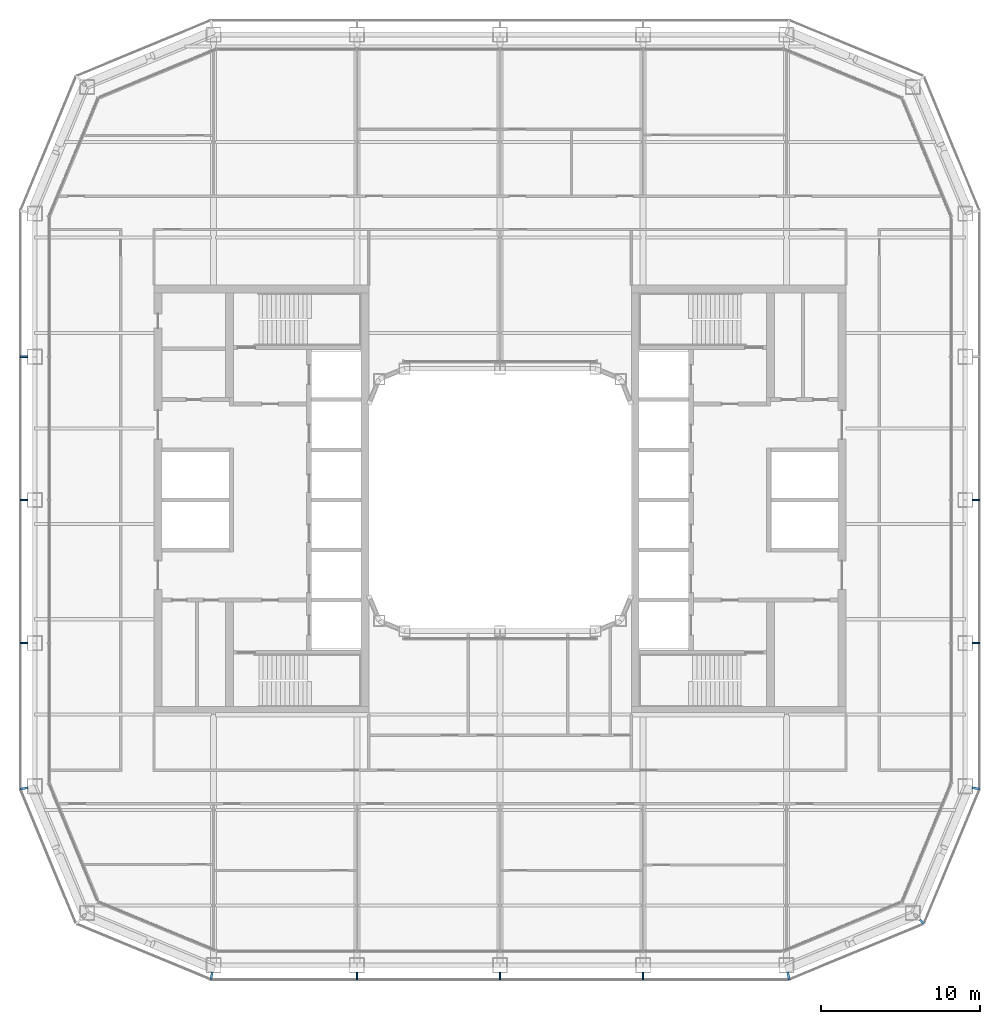
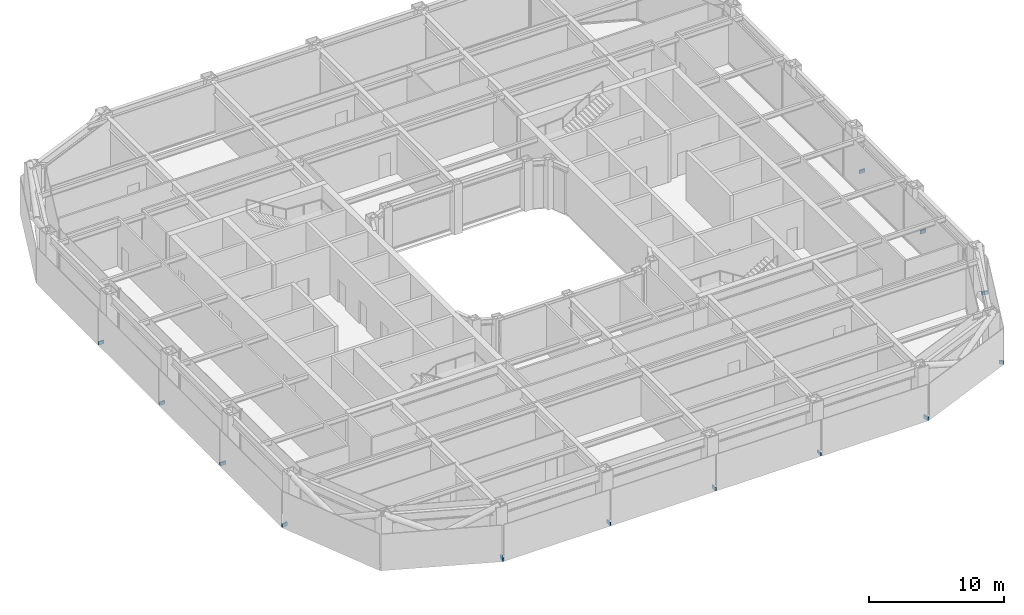
# One storey, part 15 of 21: 13 discrete accessories.
"""IFC4 building model written with IfcOpenShell, lengths in metres."""

from ifc_helpers import new_model, si_unit, direction, frame, origin, origin_2d, place, context, subcontext, project, spatial, rectangle, extrude, material, type_object, element, save


model = new_model("IFC4")

# Units and contexts
model_context = context("Model", 3, precision=1e-05, world=origin(), true_north=direction((0.0, 1.0)))
body_context = subcontext(model_context, "Body", "Model", "MODEL_VIEW")
ifc_project = project(units=[si_unit("LENGTHUNIT", "METRE"), si_unit("AREAUNIT", "SQUARE_METRE"), si_unit("VOLUMEUNIT", "CUBIC_METRE"), si_unit("PLANEANGLEUNIT", "RADIAN"), si_unit("MASSUNIT", "GRAM", prefix="KILO")], contexts=[model_context])

# Site, building, storey
site_placement = place(None, origin())
site = spatial("IfcSite", under=ifc_project, at=site_placement, CompositionType="ELEMENT")
building_placement = place(site_placement, origin())
building = spatial("IfcBuilding", under=site, at=building_placement, Name="Siwar Civic Tower", CompositionType="ELEMENT")
storey_placement = place(building_placement, frame((0.0, 0.0, 104.699951171875)))
storey = spatial("IfcBuildingStorey", under=building, at=storey_placement, Name="L22", CompositionType="ELEMENT", Elevation=104.699951171875)

# Discrete accessories
ifc_material = material(Name="Stainless steel 316", Category="steel")
discrete_accessory_type = type_object("IfcDiscreteAccessoryType", Name="ENV-BRACKET", PredefinedType="BRACKET", material=ifc_material)
for number, where, z_axis, x_axis, name in (
    (1, (29.9150390625, -9.0, -0.14990234375), (0.0, 0.0, 1.0), (1.0, 0.0, 0.0), "Bracket outer skin joint E-01"),
    (2, (29.9150390625, 0.0, -0.14990234375), (0.0, 0.0, 1.0), (1.0, 0.0, 0.0), "Bracket outer skin joint E-02"),
    (3, (-9.0, -29.9150390625, -0.14990234375), (0.0, 0.0, 1.0), (0.0, -1.0, 0.0), "Bracket outer skin joint S-01"),
    (4, (0.0, -29.9150390625, -0.14990234375), (0.0, 0.0, 1.0), (0.0, -1.0, 0.0), "Bracket outer skin joint S-02"),
    (5, (9.0, -29.9150390625, -0.14990234375), (0.0, 0.0, 1.0), (0.0, -1.0, 0.0), "Bracket outer skin joint S-03"),
):
    element("IfcDiscreteAccessory", number, at=place(storey_placement, frame(where, z_axis=z_axis, x_axis=x_axis)), inside=storey, type_object=discrete_accessory_type, Name=name, PredefinedType="BRACKET", context=body_context, shape_type="SweptSolid", body=[
        extrude(rectangle(XDim=0.469970703125, YDim=0.10009765625, at=origin_2d()), origin(), (0.0, 0.0, 1.0), 0.300048828125),
    ])
for number, where, z_axis, x_axis, name in (
    (6, (-18.13232421875, -29.915283203125, -0.14990234375), (0.0, 0.0, 1.0), (-0.195090322016, -0.980785280403, 0.0), "Bracket outer skin joint V00"),
    (7, (18.13232421875, -29.915283203125, -0.14990234375), (0.0, 0.0, 1.0), (0.195090322016, -0.980785280403, 0.0), "Bracket outer skin joint V01"),
):
    element("IfcDiscreteAccessory", number, at=place(storey_placement, frame(where, z_axis=z_axis, x_axis=x_axis)), inside=storey, type_object=discrete_accessory_type, Name=name, PredefinedType="BRACKET", context=body_context, shape_type="SweptSolid", body=[
        extrude(rectangle(XDim=0.478759765625, YDim=0.13720703125, at=origin_2d()), origin(), (0.0, 0.0, 1.0), 0.300048828125),
    ])
discrete_accessory_placement = place(storey_placement, frame((26.517333984375, -26.517333984375, -0.14990234375), z_axis=(0.0, 0.0, 1.0), x_axis=(0.707106781187, -0.707106781187, 0.0)))
element("IfcDiscreteAccessory", 8, at=discrete_accessory_placement, inside=storey, type_object=discrete_accessory_type, Name="Bracket outer skin joint V02", PredefinedType="BRACKET", context=body_context, shape_type="SweptSolid", body=[
    extrude(rectangle(XDim=0.357666015625, YDim=0.12939453125, at=origin_2d()), origin(), (0.0, 0.0, 1.0), 0.300048828125),
])
for number, where, z_axis, x_axis, name in (
    (9, (29.915283203125, -18.13232421875, -0.14990234375), (0.0, 0.0, 1.0), (0.980785280403, -0.195090322016, 0.0), "Bracket outer skin joint V03"),
    (10, (-29.915283203125, -18.13232421875, -0.14990234375), (0.0, 0.0, 1.0), (-0.980785280403, -0.195090322016, 0.0), "Bracket outer skin joint V10"),
):
    element("IfcDiscreteAccessory", number, at=place(storey_placement, frame(where, z_axis=z_axis, x_axis=x_axis)), inside=storey, type_object=discrete_accessory_type, Name=name, PredefinedType="BRACKET", context=body_context, shape_type="SweptSolid", body=[
        extrude(rectangle(XDim=0.478759765625, YDim=0.13720703125, at=origin_2d()), origin(), (0.0, 0.0, 1.0), 0.300048828125),
    ])
for number, where, z_axis, x_axis, name in (
    (11, (-29.9150390625, 9.0, -0.14990234375), (0.0, 0.0, 1.0), (-1.0, 0.0, 0.0), "Bracket outer skin joint W-01"),
    (12, (-29.9150390625, 0.0, -0.14990234375), (0.0, 0.0, 1.0), (-1.0, 0.0, 0.0), "Bracket outer skin joint W-02"),
    (13, (-29.9150390625, -9.0, -0.14990234375), (0.0, 0.0, 1.0), (-1.0, 0.0, 0.0), "Bracket outer skin joint W-03"),
):
    element("IfcDiscreteAccessory", number, at=place(storey_placement, frame(where, z_axis=z_axis, x_axis=x_axis)), inside=storey, type_object=discrete_accessory_type, Name=name, PredefinedType="BRACKET", context=body_context, shape_type="SweptSolid", body=[
        extrude(rectangle(XDim=0.469970703125, YDim=0.10009765625, at=origin_2d()), origin(), (0.0, 0.0, 1.0), 0.300048828125),
    ])

save(model, "model.ifc")
